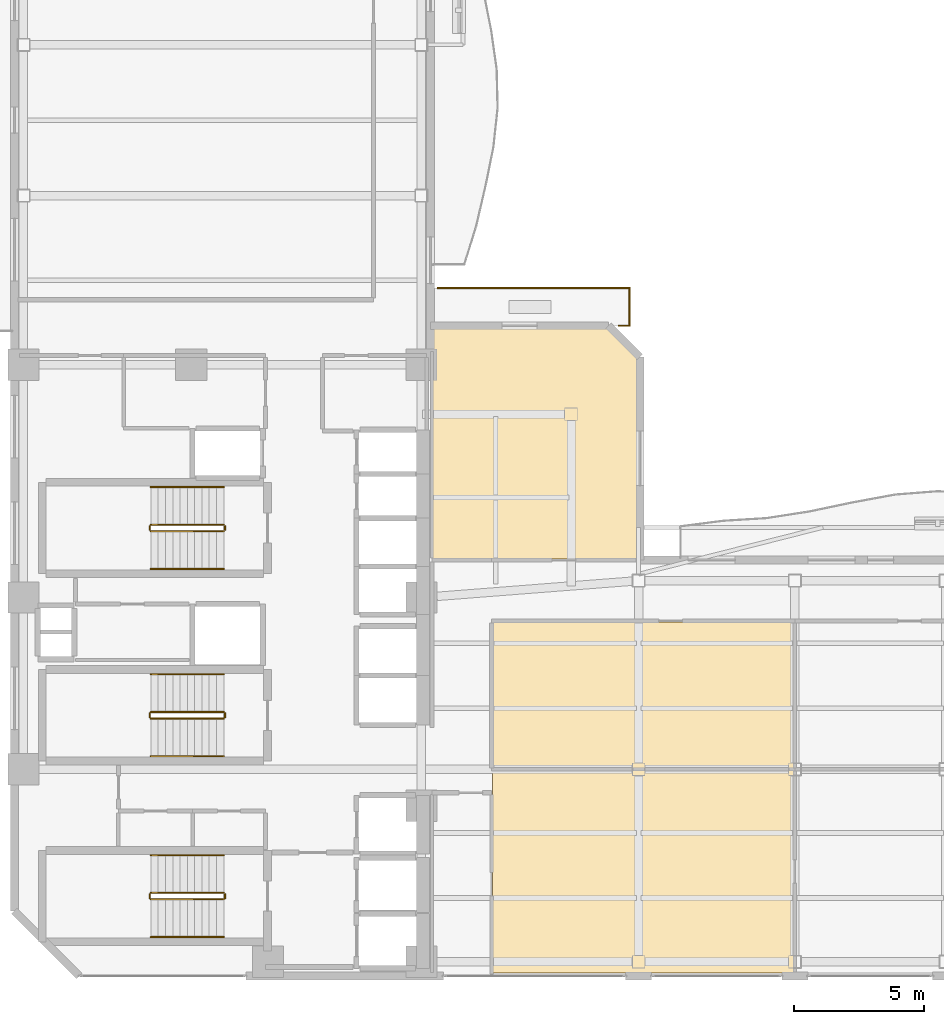
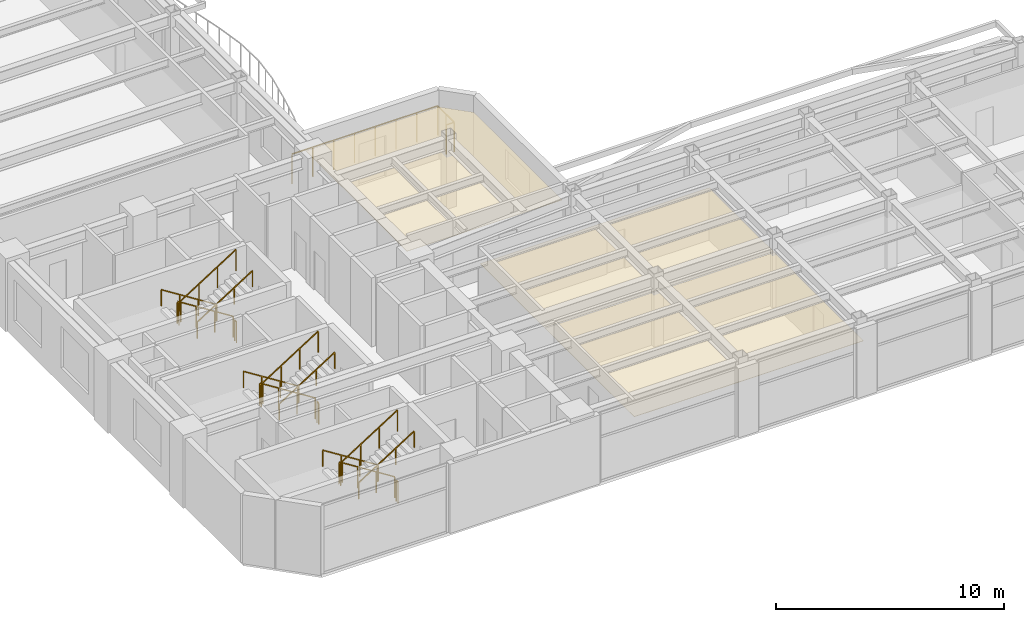
# One storey, part 13 of 15: 21 railings, 3 coverings.
"""IFC4 building model written with IfcOpenShell, lengths in metres."""

from ifc_helpers import new_model, si_unit, direction, frame, origin, origin_2d, place, context, subcontext, project, spatial, polyline, rectangle, outline, extrude, material, layer, layer_set, type_object, element, save


model = new_model("IFC4")

# Units and contexts
model_context = context("Model", 3, precision=1e-05, world=origin(), true_north=direction((0.0, 1.0)))
body_context = subcontext(model_context, "Body", "Model", "MODEL_VIEW")
ifc_project = project(units=[si_unit("LENGTHUNIT", "METRE"), si_unit("AREAUNIT", "SQUARE_METRE"), si_unit("VOLUMEUNIT", "CUBIC_METRE"), si_unit("PLANEANGLEUNIT", "RADIAN"), si_unit("MASSUNIT", "GRAM", prefix="KILO")], contexts=[model_context])

# Site, building, storey
site_placement = place(None, origin())
site = spatial("IfcSite", under=ifc_project, at=site_placement, CompositionType="ELEMENT")
building_placement = place(site_placement, origin())
building = spatial("IfcBuilding", under=site, at=building_placement, Name="Mawjaban Terraces University", CompositionType="ELEMENT")
storey_placement = place(building_placement, frame((0.0, 0.0, 142.39990234375)))
storey = spatial("IfcBuildingStorey", under=building, at=storey_placement, Name="L34", CompositionType="ELEMENT", Elevation=142.39990234375)

# Coverings
ifc_material_1 = material(Name="Acoustic mineral fibre ceiling tile", Category="masonry")
ifc_layer = layer(ifc_material_1, 0.02001953125)
ifc_layer_set = layer_set([ifc_layer], Name="Acoustic mineral fibre ceiling tile")
covering_type = type_object("IfcCoveringType", Name="AcousticMineralCeiling_20", PredefinedType="CEILING", material=ifc_layer_set)
covering_1_placement = place(storey_placement, frame((0.0, 0.0, 2.75)))
element("IfcCovering", 1, at=covering_1_placement, inside=storey, type_object=covering_type, Name="L34 Graduate Study Lounge 2 Acoustic Ceiling", PredefinedType="CEILING", context=body_context, shape_type="SweptSolid", body=[
    extrude(outline(polyline([(40.3798828125, 0.114990234375), (51.969970703125, 0.114990234375), (51.969970703125, 7.919921875), (40.3798828125, 7.919921875), (40.3798828125, 0.114990234375)])), origin(), (0.0, 0.0, 1.0), 0.02001953125),
])
covering_2_placement = place(storey_placement, frame((0.0, 0.0, 2.75)))
element("IfcCovering", 2, at=covering_2_placement, inside=storey, type_object=covering_type, Name="L34 Collaborative Study Room 3 Acoustic Ceiling", PredefinedType="CEILING", context=body_context, shape_type="SweptSolid", body=[
    extrude(outline(polyline([(51.969970703125, 7.97998046875), (51.969970703125, 13.6201171875), (40.3798828125, 13.6201171875), (40.3798828125, 7.97998046875), (51.969970703125, 7.97998046875)])), origin(), (0.0, 0.0, 1.0), 0.02001953125),
])
covering_3_placement = place(storey_placement, frame((0.0, 0.0, 2.75)))
element("IfcCovering", 3, at=covering_3_placement, inside=storey, type_object=covering_type, Name="L34 Terrace Collaborative Study Room Acoustic Ceiling", PredefinedType="CEILING", context=body_context, shape_type="SweptSolid", body=[
    extrude(outline(polyline([(45.930908203125, 16.030029296875), (45.930908203125, 23.7529296875), (44.799072265625, 24.885009765625), (38.080078125, 24.885009765625), (38.080078125, 16.030029296875), (45.930908203125, 16.030029296875)])), origin(), (0.0, 0.0, 1.0), 0.02001953125),
])

# Railings
ifc_material_2 = material(Name="Galvanised powder-coated steel S355", Category="steel")
railing_type_1 = type_object("IfcRailingType", Name="BalconyBalustrade_1600", PredefinedType="BALUSTRADE", material=ifc_material_2)
railing_1_placement = place(storey_placement, frame((45.241943359375, 25.0, 0.0)))
element("IfcRailing", 4, at=railing_1_placement, inside=storey, type_object=railing_type_1, Name="L34 Terrace Guardrail TER-L34-CLIMB.1", PredefinedType="BALUSTRADE", context=body_context, shape_type="SweptSolid", body=[
    extrude(rectangle(XDim=0.048095703125, YDim=0.048095703125, at=origin_2d()), frame((0.0, 0.0, 1.576171875), z_axis=(1.0, 0.0, 0.0), x_axis=(0.0, 1.0, 0.0)), (0.0, 0.0, 1.0), 0.404052734375),
    extrude(rectangle(XDim=0.0419921875, YDim=0.0419921875, at=origin_2d()), origin(), (0.0, 0.0, 1.0), 1.552001953125),
    extrude(rectangle(XDim=0.0419921875, YDim=0.0419921875, at=origin_2d()), frame((0.404052734375, 0.0, 0.0)), (0.0, 0.0, 1.0), 1.552001953125),
])
railing_2_placement = place(storey_placement, frame((45.64599609375, 25.0, 0.0)))
element("IfcRailing", 5, at=railing_2_placement, inside=storey, type_object=railing_type_1, Name="L34 Terrace Guardrail TER-L34-CLIMB.2", PredefinedType="BALUSTRADE", context=body_context, shape_type="SweptSolid", body=[
    extrude(rectangle(XDim=0.048095703125, YDim=0.048095703125, at=origin_2d()), frame((0.0, 0.0, 1.576171875), z_axis=(0.0, 1.0, 0.0), x_axis=(-1.0, 0.0, 0.0)), (0.0, 0.0, 1.0), 1.449951171875),
    extrude(rectangle(XDim=0.0419921875, YDim=0.0419921875, at=origin_2d()), origin(), (0.0, 0.0, 1.0), 1.552001953125),
    extrude(rectangle(XDim=0.0419921875, YDim=0.0419921875, at=origin_2d()), frame((0.0, 0.72509765625, 0.0)), (0.0, 0.0, 1.0), 1.552001953125),
    extrude(rectangle(XDim=0.0419921875, YDim=0.0419921875, at=origin_2d()), frame((0.0, 1.449951171875, 0.0)), (0.0, 0.0, 1.0), 1.552001953125),
])
railing_3_placement = place(storey_placement, frame((45.64599609375, 26.449951171875, 0.0)))
element("IfcRailing", 6, at=railing_3_placement, inside=storey, type_object=railing_type_1, Name="L34 Terrace Guardrail TER-L34-CLIMB.3", PredefinedType="BALUSTRADE", context=body_context, shape_type="SweptSolid", body=[
    extrude(rectangle(XDim=0.048095703125, YDim=0.048095703125, at=origin_2d()), frame((0.0, 0.0, 1.576171875), z_axis=(-1.0, 0.0, 0.0), x_axis=(0.0, -1.0, 0.0)), (0.0, 0.0, 1.0), 7.365966796875),
    extrude(rectangle(XDim=0.0419921875, YDim=0.0419921875, at=origin_2d()), origin(), (0.0, 0.0, 1.0), 1.552001953125),
    extrude(rectangle(XDim=0.0419921875, YDim=0.0419921875, at=origin_2d()), frame((-1.05224609375, 0.0, 0.0)), (0.0, 0.0, 1.0), 1.552001953125),
    extrude(rectangle(XDim=0.0419921875, YDim=0.0419921875, at=origin_2d()), frame((-2.1044921875, 0.0, 0.0)), (0.0, 0.0, 1.0), 1.552001953125),
    extrude(rectangle(XDim=0.0419921875, YDim=0.0419921875, at=origin_2d()), frame((-3.15673828125, 0.0, 0.0)), (0.0, 0.0, 1.0), 1.552001953125),
    extrude(rectangle(XDim=0.0419921875, YDim=0.0419921875, at=origin_2d()), frame((-4.209228515625, 0.0, 0.0)), (0.0, 0.0, 1.0), 1.552001953125),
    extrude(rectangle(XDim=0.0419921875, YDim=0.0419921875, at=origin_2d()), frame((-5.261474609375, 0.0, 0.0)), (0.0, 0.0, 1.0), 1.552001953125),
    extrude(rectangle(XDim=0.0419921875, YDim=0.0419921875, at=origin_2d()), frame((-6.313720703125, 0.0, 0.0)), (0.0, 0.0, 1.0), 1.552001953125),
    extrude(rectangle(XDim=0.0419921875, YDim=0.0419921875, at=origin_2d()), frame((-7.365966796875, 0.0, 0.0)), (0.0, 0.0, 1.0), 1.552001953125),
])
ifc_material_3 = material(Name="Brushed stainless steel 316", Category="steel")
railing_type_2 = type_object("IfcRailingType", Name="StairWallHandrail_900", PredefinedType="HANDRAIL", material=ifc_material_3)
railing_4_placement = place(storey_placement, frame((30.050048828125, 4.64990234375, 0.177490234375)))
element("IfcRailing", 7, at=railing_4_placement, inside=storey, type_object=railing_type_2, Name="L34 ST-1 stair handrail 1", PredefinedType="HANDRAIL", context=body_context, shape_type="SweptSolid", body=[
    extrude(rectangle(XDim=0.048095703125, YDim=0.048095703125, at=origin_2d()), frame((0.0, 0.0, 0.8759765625), z_axis=(-0.844908973607, 0.0, 0.534910110503), x_axis=(0.0, -1.0, 0.0)), (0.0, 0.0, 1.0), 3.31396484375),
    extrude(rectangle(XDim=0.0419921875, YDim=0.0419921875, at=origin_2d()), origin(), (0.0, 0.0, 1.0), 0.851806640625),
    extrude(rectangle(XDim=0.0419921875, YDim=0.0419921875, at=origin_2d()), frame((-0.933349609375, 0.0, 0.5908203125)), (0.0, 0.0, 1.0), 0.851806640625),
    extrude(rectangle(XDim=0.0419921875, YDim=0.0419921875, at=origin_2d()), frame((-1.86669921875, 0.0, 1.181884765625)), (0.0, 0.0, 1.0), 0.851806640625),
    extrude(rectangle(XDim=0.0419921875, YDim=0.0419921875, at=origin_2d()), frame((-2.800048828125, 0.0, 1.772705078125)), (0.0, 0.0, 1.0), 0.851806640625),
])
railing_5_placement = place(storey_placement, frame((27.25, 1.5, 2.12744140625)))
element("IfcRailing", 8, at=railing_5_placement, inside=storey, type_object=railing_type_2, Name="L34 ST-1 stair handrail 2", PredefinedType="HANDRAIL", context=body_context, shape_type="SweptSolid", body=[
    extrude(rectangle(XDim=0.048095703125, YDim=0.048095703125, at=origin_2d()), frame((0.0, 0.0, 0.8759765625), z_axis=(0.844908973607, 0.0, 0.534910110503), x_axis=(0.0, 1.0, 0.0)), (0.0, 0.0, 1.0), 3.31396484375),
    extrude(rectangle(XDim=0.0419921875, YDim=0.0419921875, at=origin_2d()), origin(), (0.0, 0.0, 1.0), 0.851806640625),
    extrude(rectangle(XDim=0.0419921875, YDim=0.0419921875, at=origin_2d()), frame((0.933349609375, 0.0, 0.5908203125)), (0.0, 0.0, 1.0), 0.851806640625),
    extrude(rectangle(XDim=0.0419921875, YDim=0.0419921875, at=origin_2d()), frame((1.86669921875, 0.0, 1.181884765625)), (0.0, 0.0, 1.0), 0.851806640625),
    extrude(rectangle(XDim=0.0419921875, YDim=0.0419921875, at=origin_2d()), frame((2.800048828125, 0.0, 1.772705078125)), (0.0, 0.0, 1.0), 0.851806640625),
])
railing_6_placement = place(storey_placement, frame((30.050048828125, 18.800048828125, 0.177490234375)))
element("IfcRailing", 9, at=railing_6_placement, inside=storey, type_object=railing_type_2, Name="L34 ST-2 stair handrail 1", PredefinedType="HANDRAIL", context=body_context, shape_type="SweptSolid", body=[
    extrude(rectangle(XDim=0.048095703125, YDim=0.048095703125, at=origin_2d()), frame((0.0, 0.0, 0.8759765625), z_axis=(-0.844908973607, 0.0, 0.534910110503), x_axis=(0.0, -1.0, 0.0)), (0.0, 0.0, 1.0), 3.31396484375),
    extrude(rectangle(XDim=0.0419921875, YDim=0.0419921875, at=origin_2d()), origin(), (0.0, 0.0, 1.0), 0.851806640625),
    extrude(rectangle(XDim=0.0419921875, YDim=0.0419921875, at=origin_2d()), frame((-0.933349609375, 0.0, 0.5908203125)), (0.0, 0.0, 1.0), 0.851806640625),
    extrude(rectangle(XDim=0.0419921875, YDim=0.0419921875, at=origin_2d()), frame((-1.86669921875, 0.0, 1.181884765625)), (0.0, 0.0, 1.0), 0.851806640625),
    extrude(rectangle(XDim=0.0419921875, YDim=0.0419921875, at=origin_2d()), frame((-2.800048828125, 0.0, 1.772705078125)), (0.0, 0.0, 1.0), 0.851806640625),
])
railing_7_placement = place(storey_placement, frame((27.25, 15.64990234375, 2.12744140625)))
element("IfcRailing", 10, at=railing_7_placement, inside=storey, type_object=railing_type_2, Name="L34 ST-2 stair handrail 2", PredefinedType="HANDRAIL", context=body_context, shape_type="SweptSolid", body=[
    extrude(rectangle(XDim=0.048095703125, YDim=0.048095703125, at=origin_2d()), frame((0.0, 0.0, 0.8759765625), z_axis=(0.844908973607, 0.0, 0.534910110503), x_axis=(0.0, 1.0, 0.0)), (0.0, 0.0, 1.0), 3.31396484375),
    extrude(rectangle(XDim=0.0419921875, YDim=0.0419921875, at=origin_2d()), origin(), (0.0, 0.0, 1.0), 0.851806640625),
    extrude(rectangle(XDim=0.0419921875, YDim=0.0419921875, at=origin_2d()), frame((0.933349609375, 0.0, 0.5908203125)), (0.0, 0.0, 1.0), 0.851806640625),
    extrude(rectangle(XDim=0.0419921875, YDim=0.0419921875, at=origin_2d()), frame((1.86669921875, 0.0, 1.181884765625)), (0.0, 0.0, 1.0), 0.851806640625),
    extrude(rectangle(XDim=0.0419921875, YDim=0.0419921875, at=origin_2d()), frame((2.800048828125, 0.0, 1.772705078125)), (0.0, 0.0, 1.0), 0.851806640625),
])
railing_8_placement = place(storey_placement, frame((30.050048828125, 11.60009765625, 0.177490234375)))
element("IfcRailing", 11, at=railing_8_placement, inside=storey, type_object=railing_type_2, Name="L34 ST-3 stair handrail 1", PredefinedType="HANDRAIL", context=body_context, shape_type="SweptSolid", body=[
    extrude(rectangle(XDim=0.048095703125, YDim=0.048095703125, at=origin_2d()), frame((0.0, 0.0, 0.8759765625), z_axis=(-0.844908973607, 0.0, 0.534910110503), x_axis=(0.0, -1.0, 0.0)), (0.0, 0.0, 1.0), 3.31396484375),
    extrude(rectangle(XDim=0.0419921875, YDim=0.0419921875, at=origin_2d()), origin(), (0.0, 0.0, 1.0), 0.851806640625),
    extrude(rectangle(XDim=0.0419921875, YDim=0.0419921875, at=origin_2d()), frame((-0.933349609375, 0.0, 0.5908203125)), (0.0, 0.0, 1.0), 0.851806640625),
    extrude(rectangle(XDim=0.0419921875, YDim=0.0419921875, at=origin_2d()), frame((-1.86669921875, 0.0, 1.181884765625)), (0.0, 0.0, 1.0), 0.851806640625),
    extrude(rectangle(XDim=0.0419921875, YDim=0.0419921875, at=origin_2d()), frame((-2.800048828125, 0.0, 1.772705078125)), (0.0, 0.0, 1.0), 0.851806640625),
])
railing_9_placement = place(storey_placement, frame((27.25, 8.449951171875, 2.12744140625)))
element("IfcRailing", 12, at=railing_9_placement, inside=storey, type_object=railing_type_2, Name="L34 ST-3 stair handrail 2", PredefinedType="HANDRAIL", context=body_context, shape_type="SweptSolid", body=[
    extrude(rectangle(XDim=0.048095703125, YDim=0.048095703125, at=origin_2d()), frame((0.0, 0.0, 0.8759765625), z_axis=(0.844908973607, 0.0, 0.534910110503), x_axis=(0.0, 1.0, 0.0)), (0.0, 0.0, 1.0), 3.31396484375),
    extrude(rectangle(XDim=0.0419921875, YDim=0.0419921875, at=origin_2d()), origin(), (0.0, 0.0, 1.0), 0.851806640625),
    extrude(rectangle(XDim=0.0419921875, YDim=0.0419921875, at=origin_2d()), frame((0.933349609375, 0.0, 0.5908203125)), (0.0, 0.0, 1.0), 0.851806640625),
    extrude(rectangle(XDim=0.0419921875, YDim=0.0419921875, at=origin_2d()), frame((1.86669921875, 0.0, 1.181884765625)), (0.0, 0.0, 1.0), 0.851806640625),
    extrude(rectangle(XDim=0.0419921875, YDim=0.0419921875, at=origin_2d()), frame((2.800048828125, 0.0, 1.772705078125)), (0.0, 0.0, 1.0), 0.851806640625),
])
ifc_material_4 = material(Name="Galvanised painted steel S355", Category="steel")
railing_type_3 = type_object("IfcRailingType", Name="StairWellGuard_1150", PredefinedType="BALUSTRADE", material=ifc_material_4)
railing_10_placement = place(storey_placement, frame((30.050048828125, 3.199951171875, 0.177490234375)))
element("IfcRailing", 13, at=railing_10_placement, inside=storey, type_object=railing_type_3, Name="L34 ST-1 stair guard 1", PredefinedType="BALUSTRADE", context=body_context, shape_type="SweptSolid", body=[
    extrude(rectangle(XDim=0.048095703125, YDim=0.048095703125, at=origin_2d()), frame((0.0, 0.0, 1.1259765625), z_axis=(-0.844908973607, 0.0, 0.534910110503), x_axis=(0.0, -1.0, 0.0)), (0.0, 0.0, 1.0), 3.31396484375),
    extrude(rectangle(XDim=0.0419921875, YDim=0.0419921875, at=origin_2d()), origin(), (0.0, 0.0, 1.0), 1.101806640625),
    extrude(rectangle(XDim=0.0419921875, YDim=0.0419921875, at=origin_2d()), frame((-0.933349609375, 0.0, 0.5908203125)), (0.0, 0.0, 1.0), 1.101806640625),
    extrude(rectangle(XDim=0.0419921875, YDim=0.0419921875, at=origin_2d()), frame((-1.86669921875, 0.0, 1.181884765625)), (0.0, 0.0, 1.0), 1.101806640625),
    extrude(rectangle(XDim=0.0419921875, YDim=0.0419921875, at=origin_2d()), frame((-2.800048828125, 0.0, 1.772705078125)), (0.0, 0.0, 1.0), 1.101806640625),
])
railing_11_placement = place(storey_placement, frame((27.199951171875, 3.14990234375, 1.9501953125)))
element("IfcRailing", 14, at=railing_11_placement, inside=storey, type_object=railing_type_3, Name="L34 ST-1 stair guard 2", PredefinedType="BALUSTRADE", context=body_context, shape_type="SweptSolid", body=[
    extrude(rectangle(XDim=0.048095703125, YDim=0.048095703125, at=origin_2d()), frame((0.0, 0.0, 1.1259765625), z_axis=(0.0, -1.0, 0.0), x_axis=(1.0, 0.0, 0.0)), (0.0, 0.0, 1.0), 0.14990234375),
    extrude(rectangle(XDim=0.0419921875, YDim=0.0419921875, at=origin_2d()), origin(), (0.0, 0.0, 1.0), 1.101806640625),
    extrude(rectangle(XDim=0.0419921875, YDim=0.0419921875, at=origin_2d()), frame((0.0, -0.14990234375, 0.0)), (0.0, 0.0, 1.0), 1.101806640625),
])
railing_12_placement = place(storey_placement, frame((27.25, 2.949951171875, 2.12744140625)))
element("IfcRailing", 15, at=railing_12_placement, inside=storey, type_object=railing_type_3, Name="L34 ST-1 stair guard 3", PredefinedType="BALUSTRADE", context=body_context, shape_type="SweptSolid", body=[
    extrude(rectangle(XDim=0.048095703125, YDim=0.048095703125, at=origin_2d()), frame((0.0, 0.0, 1.1259765625), z_axis=(0.844908973607, 0.0, 0.534910110503), x_axis=(0.0, 1.0, 0.0)), (0.0, 0.0, 1.0), 3.31396484375),
    extrude(rectangle(XDim=0.0419921875, YDim=0.0419921875, at=origin_2d()), origin(), (0.0, 0.0, 1.0), 1.101806640625),
    extrude(rectangle(XDim=0.0419921875, YDim=0.0419921875, at=origin_2d()), frame((0.933349609375, 0.0, 0.5908203125)), (0.0, 0.0, 1.0), 1.101806640625),
    extrude(rectangle(XDim=0.0419921875, YDim=0.0419921875, at=origin_2d()), frame((1.86669921875, 0.0, 1.181884765625)), (0.0, 0.0, 1.0), 1.101806640625),
    extrude(rectangle(XDim=0.0419921875, YDim=0.0419921875, at=origin_2d()), frame((2.800048828125, 0.0, 1.772705078125)), (0.0, 0.0, 1.0), 1.101806640625),
])
railing_13_placement = place(storey_placement, frame((30.10009765625, 3.14990234375, 0.0)))
element("IfcRailing", 16, at=railing_13_placement, inside=storey, type_object=railing_type_3, Name="L34 ST-1 stair guard 4", PredefinedType="BALUSTRADE", context=body_context, shape_type="SweptSolid", body=[
    extrude(rectangle(XDim=0.048095703125, YDim=0.048095703125, at=origin_2d()), frame((0.0, 0.0, 1.1259765625), z_axis=(0.0, -1.0, 0.0), x_axis=(1.0, 0.0, 0.0)), (0.0, 0.0, 1.0), 0.14990234375),
    extrude(rectangle(XDim=0.0419921875, YDim=0.0419921875, at=origin_2d()), origin(), (0.0, 0.0, 1.0), 1.101806640625),
    extrude(rectangle(XDim=0.0419921875, YDim=0.0419921875, at=origin_2d()), frame((0.0, -0.14990234375, 0.0)), (0.0, 0.0, 1.0), 1.101806640625),
])
railing_14_placement = place(storey_placement, frame((30.050048828125, 17.35009765625, 0.177490234375)))
element("IfcRailing", 17, at=railing_14_placement, inside=storey, type_object=railing_type_3, Name="L34 ST-2 stair guard 1", PredefinedType="BALUSTRADE", context=body_context, shape_type="SweptSolid", body=[
    extrude(rectangle(XDim=0.048095703125, YDim=0.048095703125, at=origin_2d()), frame((0.0, 0.0, 1.1259765625), z_axis=(-0.844908973607, 0.0, 0.534910110503), x_axis=(0.0, -1.0, 0.0)), (0.0, 0.0, 1.0), 3.31396484375),
    extrude(rectangle(XDim=0.0419921875, YDim=0.0419921875, at=origin_2d()), origin(), (0.0, 0.0, 1.0), 1.101806640625),
    extrude(rectangle(XDim=0.0419921875, YDim=0.0419921875, at=origin_2d()), frame((-0.933349609375, 0.0, 0.5908203125)), (0.0, 0.0, 1.0), 1.101806640625),
    extrude(rectangle(XDim=0.0419921875, YDim=0.0419921875, at=origin_2d()), frame((-1.86669921875, 0.0, 1.181884765625)), (0.0, 0.0, 1.0), 1.101806640625),
    extrude(rectangle(XDim=0.0419921875, YDim=0.0419921875, at=origin_2d()), frame((-2.800048828125, 0.0, 1.772705078125)), (0.0, 0.0, 1.0), 1.101806640625),
])
railing_15_placement = place(storey_placement, frame((27.199951171875, 17.300048828125, 1.9501953125)))
element("IfcRailing", 18, at=railing_15_placement, inside=storey, type_object=railing_type_3, Name="L34 ST-2 stair guard 2", PredefinedType="BALUSTRADE", context=body_context, shape_type="SweptSolid", body=[
    extrude(rectangle(XDim=0.048095703125, YDim=0.048095703125, at=origin_2d()), frame((0.0, 0.0, 1.1259765625), z_axis=(0.0, -1.0, 0.0), x_axis=(1.0, 0.0, 0.0)), (0.0, 0.0, 1.0), 0.150146484375),
    extrude(rectangle(XDim=0.0419921875, YDim=0.0419921875, at=origin_2d()), origin(), (0.0, 0.0, 1.0), 1.101806640625),
    extrude(rectangle(XDim=0.0419921875, YDim=0.0419921875, at=origin_2d()), frame((0.0, -0.150146484375, 0.0)), (0.0, 0.0, 1.0), 1.101806640625),
])
railing_16_placement = place(storey_placement, frame((27.25, 17.10009765625, 2.12744140625)))
element("IfcRailing", 19, at=railing_16_placement, inside=storey, type_object=railing_type_3, Name="L34 ST-2 stair guard 3", PredefinedType="BALUSTRADE", context=body_context, shape_type="SweptSolid", body=[
    extrude(rectangle(XDim=0.048095703125, YDim=0.048095703125, at=origin_2d()), frame((0.0, 0.0, 1.1259765625), z_axis=(0.844908973607, 0.0, 0.534910110503), x_axis=(0.0, 1.0, 0.0)), (0.0, 0.0, 1.0), 3.31396484375),
    extrude(rectangle(XDim=0.0419921875, YDim=0.0419921875, at=origin_2d()), origin(), (0.0, 0.0, 1.0), 1.101806640625),
    extrude(rectangle(XDim=0.0419921875, YDim=0.0419921875, at=origin_2d()), frame((0.933349609375, 0.0, 0.5908203125)), (0.0, 0.0, 1.0), 1.101806640625),
    extrude(rectangle(XDim=0.0419921875, YDim=0.0419921875, at=origin_2d()), frame((1.86669921875, 0.0, 1.181884765625)), (0.0, 0.0, 1.0), 1.101806640625),
    extrude(rectangle(XDim=0.0419921875, YDim=0.0419921875, at=origin_2d()), frame((2.800048828125, 0.0, 1.772705078125)), (0.0, 0.0, 1.0), 1.101806640625),
])
railing_17_placement = place(storey_placement, frame((30.10009765625, 17.300048828125, 0.0)))
element("IfcRailing", 20, at=railing_17_placement, inside=storey, type_object=railing_type_3, Name="L34 ST-2 stair guard 4", PredefinedType="BALUSTRADE", context=body_context, shape_type="SweptSolid", body=[
    extrude(rectangle(XDim=0.048095703125, YDim=0.048095703125, at=origin_2d()), frame((0.0, 0.0, 1.1259765625), z_axis=(0.0, -1.0, 0.0), x_axis=(1.0, 0.0, 0.0)), (0.0, 0.0, 1.0), 0.150146484375),
    extrude(rectangle(XDim=0.0419921875, YDim=0.0419921875, at=origin_2d()), origin(), (0.0, 0.0, 1.0), 1.101806640625),
    extrude(rectangle(XDim=0.0419921875, YDim=0.0419921875, at=origin_2d()), frame((0.0, -0.150146484375, 0.0)), (0.0, 0.0, 1.0), 1.101806640625),
])
railing_18_placement = place(storey_placement, frame((30.050048828125, 10.14990234375, 0.177490234375)))
element("IfcRailing", 21, at=railing_18_placement, inside=storey, type_object=railing_type_3, Name="L34 ST-3 stair guard 1", PredefinedType="BALUSTRADE", context=body_context, shape_type="SweptSolid", body=[
    extrude(rectangle(XDim=0.048095703125, YDim=0.048095703125, at=origin_2d()), frame((0.0, 0.0, 1.1259765625), z_axis=(-0.844908973607, 0.0, 0.534910110503), x_axis=(0.0, -1.0, 0.0)), (0.0, 0.0, 1.0), 3.31396484375),
    extrude(rectangle(XDim=0.0419921875, YDim=0.0419921875, at=origin_2d()), origin(), (0.0, 0.0, 1.0), 1.101806640625),
    extrude(rectangle(XDim=0.0419921875, YDim=0.0419921875, at=origin_2d()), frame((-0.933349609375, 0.0, 0.5908203125)), (0.0, 0.0, 1.0), 1.101806640625),
    extrude(rectangle(XDim=0.0419921875, YDim=0.0419921875, at=origin_2d()), frame((-1.86669921875, 0.0, 1.181884765625)), (0.0, 0.0, 1.0), 1.101806640625),
    extrude(rectangle(XDim=0.0419921875, YDim=0.0419921875, at=origin_2d()), frame((-2.800048828125, 0.0, 1.772705078125)), (0.0, 0.0, 1.0), 1.101806640625),
])
railing_19_placement = place(storey_placement, frame((27.199951171875, 10.10009765625, 1.9501953125)))
element("IfcRailing", 22, at=railing_19_placement, inside=storey, type_object=railing_type_3, Name="L34 ST-3 stair guard 2", PredefinedType="BALUSTRADE", context=body_context, shape_type="SweptSolid", body=[
    extrude(rectangle(XDim=0.048095703125, YDim=0.048095703125, at=origin_2d()), frame((0.0, 0.0, 1.1259765625), z_axis=(0.0, -1.0, 0.0), x_axis=(1.0, 0.0, 0.0)), (0.0, 0.0, 1.0), 0.150146484375),
    extrude(rectangle(XDim=0.0419921875, YDim=0.0419921875, at=origin_2d()), origin(), (0.0, 0.0, 1.0), 1.101806640625),
    extrude(rectangle(XDim=0.0419921875, YDim=0.0419921875, at=origin_2d()), frame((0.0, -0.150146484375, 0.0)), (0.0, 0.0, 1.0), 1.101806640625),
])
railing_20_placement = place(storey_placement, frame((27.25, 9.89990234375, 2.12744140625)))
element("IfcRailing", 23, at=railing_20_placement, inside=storey, type_object=railing_type_3, Name="L34 ST-3 stair guard 3", PredefinedType="BALUSTRADE", context=body_context, shape_type="SweptSolid", body=[
    extrude(rectangle(XDim=0.048095703125, YDim=0.048095703125, at=origin_2d()), frame((0.0, 0.0, 1.1259765625), z_axis=(0.844908973607, 0.0, 0.534910110503), x_axis=(0.0, 1.0, 0.0)), (0.0, 0.0, 1.0), 3.31396484375),
    extrude(rectangle(XDim=0.0419921875, YDim=0.0419921875, at=origin_2d()), origin(), (0.0, 0.0, 1.0), 1.101806640625),
    extrude(rectangle(XDim=0.0419921875, YDim=0.0419921875, at=origin_2d()), frame((0.933349609375, 0.0, 0.5908203125)), (0.0, 0.0, 1.0), 1.101806640625),
    extrude(rectangle(XDim=0.0419921875, YDim=0.0419921875, at=origin_2d()), frame((1.86669921875, 0.0, 1.181884765625)), (0.0, 0.0, 1.0), 1.101806640625),
    extrude(rectangle(XDim=0.0419921875, YDim=0.0419921875, at=origin_2d()), frame((2.800048828125, 0.0, 1.772705078125)), (0.0, 0.0, 1.0), 1.101806640625),
])
railing_21_placement = place(storey_placement, frame((30.10009765625, 10.10009765625, 0.0)))
element("IfcRailing", 24, at=railing_21_placement, inside=storey, type_object=railing_type_3, Name="L34 ST-3 stair guard 4", PredefinedType="BALUSTRADE", context=body_context, shape_type="SweptSolid", body=[
    extrude(rectangle(XDim=0.048095703125, YDim=0.048095703125, at=origin_2d()), frame((0.0, 0.0, 1.1259765625), z_axis=(0.0, -1.0, 0.0), x_axis=(1.0, 0.0, 0.0)), (0.0, 0.0, 1.0), 0.150146484375),
    extrude(rectangle(XDim=0.0419921875, YDim=0.0419921875, at=origin_2d()), origin(), (0.0, 0.0, 1.0), 1.101806640625),
    extrude(rectangle(XDim=0.0419921875, YDim=0.0419921875, at=origin_2d()), frame((0.0, -0.150146484375, 0.0)), (0.0, 0.0, 1.0), 1.101806640625),
])

save(model, "model.ifc")
